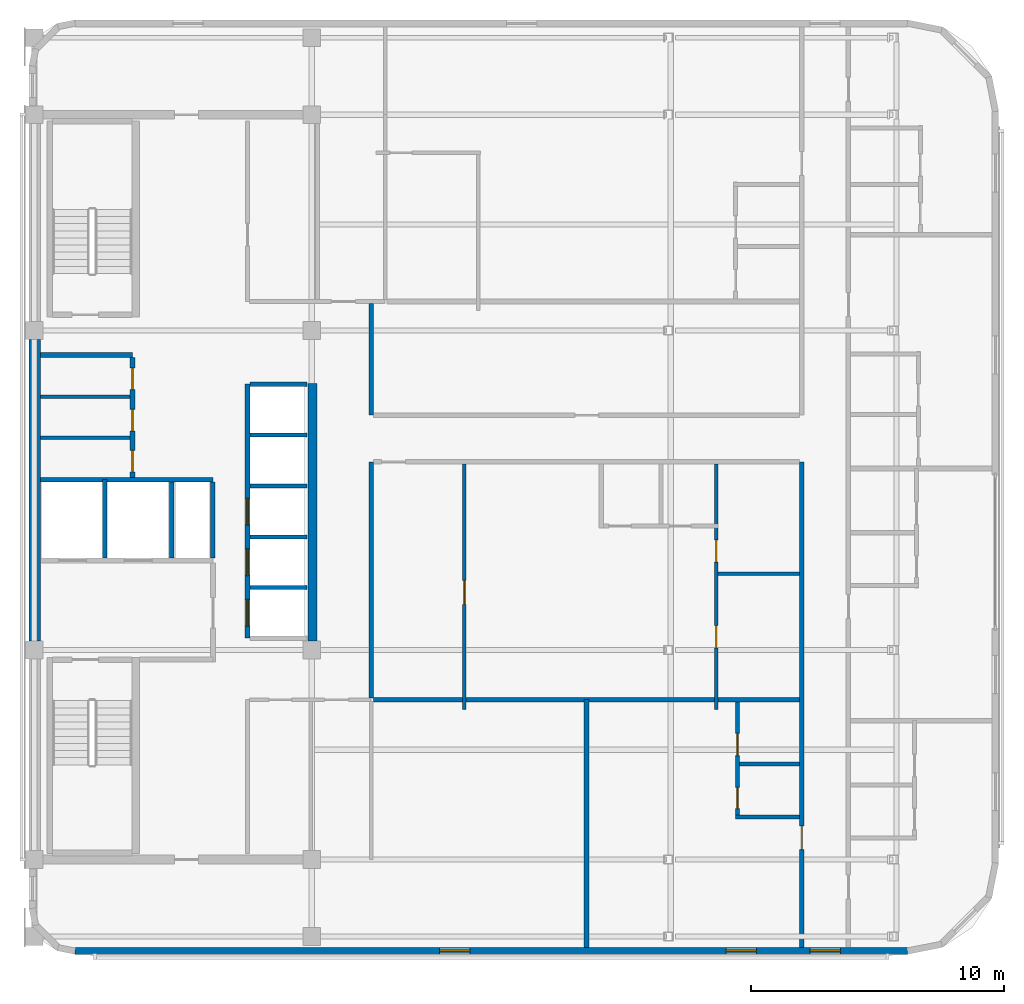
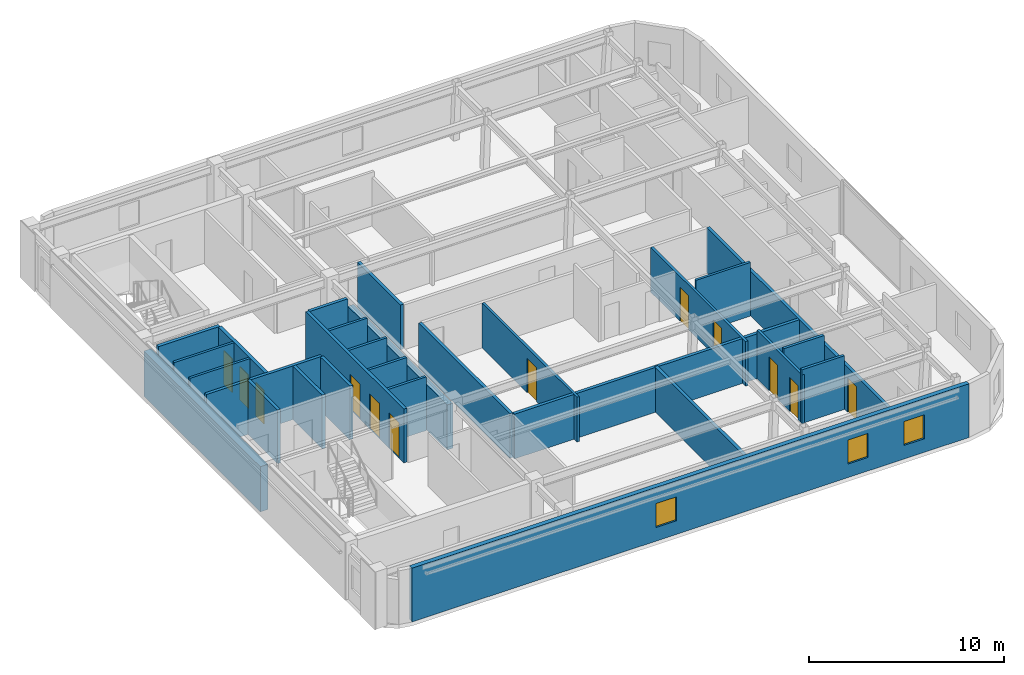
# One storey, part 4 of 10: 28 walls, 12 doors, 3 windows, 15 openings.
"""IFC4 building model written with IfcOpenShell, lengths in metres."""

from ifc_helpers import new_model, si_unit, direction, frame, frame_2d, origin, place, context, subcontext, project, spatial, rectangle, extrude, material, layer, layer_set, type_object, element, fill, save


model = new_model("IFC4")

# Units and contexts
model_context = context("Model", 3, precision=1e-05, world=origin(), true_north=direction((0.0, 1.0)))
body_context = subcontext(model_context, "Body", "Model", "MODEL_VIEW")
ifc_project = project(units=[si_unit("LENGTHUNIT", "METRE"), si_unit("AREAUNIT", "SQUARE_METRE"), si_unit("VOLUMEUNIT", "CUBIC_METRE"), si_unit("PLANEANGLEUNIT", "RADIAN"), si_unit("MASSUNIT", "GRAM", prefix="KILO")], contexts=[model_context])

# Site, building, storey
site_placement = place(None, origin())
site = spatial("IfcSite", under=ifc_project, at=site_placement, CompositionType="ELEMENT")
building_placement = place(site_placement, origin())
building = spatial("IfcBuilding", under=site, at=building_placement, Name="Ochreholt Gables", CompositionType="ELEMENT")
storey_placement = place(building_placement, frame((0.0, 0.0, 267.60009765625)))
storey = spatial("IfcBuildingStorey", under=building, at=storey_placement, Name="L70", CompositionType="ELEMENT", Elevation=267.60009765625)

# Walls
ifc_material_1 = material(Name="Concrete 50 MPa", Category="concrete")
ifc_layer_1 = layer(ifc_material_1, 0.35009765625, Name="Concrete 50 MPa")
ifc_layer_set_1 = layer_set([ifc_layer_1], Name="Concrete 50 MPa")
wall_type_1 = type_object("IfcWallType", Name="WALL-CSW-350", PredefinedType="SHEAR", material=ifc_layer_set_1)
wall_1_placement = place(storey_placement, frame((35.22509765625, 17.89990234375, 0.0), z_axis=(0.0, 0.0, 1.0), x_axis=(0.0, 1.0, 0.0)))
element("IfcWall", 1, at=wall_1_placement, inside=storey, type_object=wall_type_1, Name="L70 Core Central-East Shear Wall", PredefinedType="SHEAR", context=body_context, shape_type="SweptSolid", body=[
    extrude(rectangle(XDim=10.2001953125, YDim=0.35009765625, at=frame_2d((5.10009765625, 0.0))), origin(), (0.0, 0.0, 1.0), 2.82080078125),
])
ifc_layer_2 = layer(ifc_material_1, 0.449951171875, Name="Concrete 50 MPa")
ifc_layer_set_2 = layer_set([ifc_layer_2], Name="Concrete 50 MPa")
wall_type_2 = type_object("IfcWallType", Name="WALL-CSW-EXT", PredefinedType="SHEAR", material=ifc_layer_set_2)
wall_2_placement = place(storey_placement, frame((24.22509765625, 17.89990234375, 0.0), z_axis=(0.0, 0.0, 1.0), x_axis=(0.0, 1.0, 0.0)))
element("IfcWall", 2, at=wall_2_placement, inside=storey, type_object=wall_type_2, Name="L70 Core West Shear Wall WM", PredefinedType="SHEAR", context=body_context, shape_type="SweptSolid", body=[
    extrude(rectangle(XDim=11.9501953125, YDim=0.449951171875, at=frame_2d((5.97509765625, 0.0))), origin(), (0.0, 0.0, 1.0), 2.82080078125),
])

# Wall, openings, windows
ifc_material_2 = material(Name="Precast concrete 40 MPa", Category="concrete")
ifc_layer_3 = layer(ifc_material_2, 0.27001953125, Name="Precast concrete 40 MPa")
ifc_layer_set_3 = layer_set([ifc_layer_3], Name="Precast concrete 40 MPa")
wall_type_3 = type_object("IfcWallType", Name="WALL-EXT-270", PredefinedType="SOLIDWALL", material=ifc_layer_set_3)
wall_3_placement = place(storey_placement, frame((25.820068359375, 5.635009765625, 0.0), z_axis=(0.0, 0.0, 1.0), x_axis=(1.0, 0.0, 0.0)))
wall_3 = element("IfcWall", 3, at=wall_3_placement, inside=storey, type_object=wall_type_3, Name="L70 South Exterior Wall", PredefinedType="SOLIDWALL", context=body_context, shape_type="SweptSolid", body=[
    extrude(rectangle(XDim=32.9599609375, YDim=0.27001953125, at=frame_2d((16.47998046875, 0.0))), origin(), (0.0, 0.0, 1.0), 3.35986328125),
])
opening_1_placement = place(wall_3_placement, frame((14.4375, 0.0, 0.85009765625)))
opening_1 = element("IfcOpeningElement", 4, at=opening_1_placement, cuts=wall_3, Name="Opening WN-3", PredefinedType="OPENING", context=body_context, shape_type="SweptSolid", body=[
    extrude(rectangle(XDim=1.199951171875, YDim=1.5, at=frame_2d((0.60009765625, 0.75))), frame((0.0, 0.14501953125, 0.0), z_axis=(0.0, -1.0, 0.0), x_axis=(1.0, 0.0, 0.0)), (0.0, 0.0, 1.0), 0.2900390625),
])
opening_2_placement = place(wall_3_placement, frame((25.782470703125, 0.0, 0.85009765625)))
opening_2 = element("IfcOpeningElement", 5, at=opening_2_placement, cuts=wall_3, Name="Opening WN-3", PredefinedType="OPENING", context=body_context, shape_type="SweptSolid", body=[
    extrude(rectangle(XDim=1.199951171875, YDim=1.5, at=frame_2d((0.60009765625, 0.75))), frame((0.0, 0.14501953125, 0.0), z_axis=(0.0, -1.0, 0.0), x_axis=(1.0, 0.0, 0.0)), (0.0, 0.0, 1.0), 0.2900390625),
])
opening_3_placement = place(wall_3_placement, frame((29.10498046875, 0.0, 0.85009765625)))
opening_3 = element("IfcOpeningElement", 6, at=opening_3_placement, cuts=wall_3, Name="Opening WN-3", PredefinedType="OPENING", context=body_context, shape_type="SweptSolid", body=[
    extrude(rectangle(XDim=1.199951171875, YDim=1.5, at=frame_2d((0.60009765625, 0.75))), frame((0.0, 0.14501953125, 0.0), z_axis=(0.0, -1.0, 0.0), x_axis=(1.0, 0.0, 0.0)), (0.0, 0.0, 1.0), 0.2900390625),
])
ifc_material_3 = material(Name="Triple-Glazed Thermally Broken Aluminium Window", Category="aluminium")
window_type = type_object("IfcWindowType", Name="WIN-RES-1200", PartitioningType="SINGLE_PANEL", PredefinedType="WINDOW", material=ifc_material_3)
window_1_placement = place(opening_1_placement, origin())
window_1 = element("IfcWindow", 7, at=window_1_placement, inside=storey, type_object=window_type, Name="L70 Window W-EXT-S-L70-1", OverallHeight=1.5, OverallWidth=1.199951171875, PartitioningType="SINGLE_PANEL", PredefinedType="WINDOW", context=body_context, shape_type="SweptSolid", body=[
    extrude(rectangle(XDim=1.199951171875, YDim=1.5, at=frame_2d((0.60009765625, 0.75))), frame((0.0, 0.030029296875, 0.0), z_axis=(0.0, -1.0, 0.0), x_axis=(1.0, 0.0, 0.0)), (0.0, 0.0, 1.0), 0.06005859375),
])
fill(opening_1, window_1)
window_2_placement = place(opening_2_placement, origin())
window_2 = element("IfcWindow", 8, at=window_2_placement, inside=storey, type_object=window_type, Name="L70 Window W-EXT-S-L70-2", OverallHeight=1.5, OverallWidth=1.199951171875, PartitioningType="SINGLE_PANEL", PredefinedType="WINDOW", context=body_context, shape_type="SweptSolid", body=[
    extrude(rectangle(XDim=1.199951171875, YDim=1.5, at=frame_2d((0.60009765625, 0.75))), frame((0.0, 0.030029296875, 0.0), z_axis=(0.0, -1.0, 0.0), x_axis=(1.0, 0.0, 0.0)), (0.0, 0.0, 1.0), 0.06005859375),
])
fill(opening_2, window_2)
window_3_placement = place(opening_3_placement, origin())
window_3 = element("IfcWindow", 9, at=window_3_placement, inside=storey, type_object=window_type, Name="L70 Window W-EXT-S-L70-3", OverallHeight=1.5, OverallWidth=1.199951171875, PartitioningType="SINGLE_PANEL", PredefinedType="WINDOW", context=body_context, shape_type="SweptSolid", body=[
    extrude(rectangle(XDim=1.199951171875, YDim=1.5, at=frame_2d((0.60009765625, 0.75))), frame((0.0, 0.030029296875, 0.0), z_axis=(0.0, -1.0, 0.0), x_axis=(1.0, 0.0, 0.0)), (0.0, 0.0, 1.0), 0.06005859375),
])
fill(opening_3, window_3)

# Wall
ifc_material_4 = material(Name="Concrete 40 MPa", Category="concrete")
ifc_layer_4 = layer(ifc_material_4, 0.199951171875, Name="Concrete 40 MPa")
ifc_layer_set_4 = layer_set([ifc_layer_4], Name="Concrete 40 MPa")
wall_type_4 = type_object("IfcWallType", Name="WALL-INT-CF200", PredefinedType="STANDARD", material=ifc_layer_set_4)
wall_4_placement = place(storey_placement, frame((24.449951171875, 29.239990234375, 0.0), z_axis=(0.0, 0.0, 1.0), x_axis=(1.0, 0.0, 0.0)))
element("IfcWall", 10, at=wall_4_placement, inside=storey, type_object=wall_type_4, Name="L70 Interior Wall WI-SRVN-L70", PredefinedType="STANDARD", context=body_context, shape_type="SweptSolid", body=[
    extrude(rectangle(XDim=3.650146484375, YDim=0.199951171875, at=frame_2d((1.8251953125, 0.0))), origin(), (0.0, 0.0, 1.0), 3.35986328125),
])

# Wall, openings, doors
wall_5_placement = place(storey_placement, frame((28.10009765625, 24.389892578125, 0.0), z_axis=(0.0, 0.0, 1.0), x_axis=(0.0, 1.0, 0.0)))
wall_5 = element("IfcWall", 11, at=wall_5_placement, inside=storey, type_object=wall_type_4, Name="L70 Interior Wall WI-SRVE-L70", PredefinedType="STANDARD", context=body_context, shape_type="SweptSolid", body=[
    extrude(rectangle(XDim=4.75, YDim=0.199951171875, at=frame_2d((2.375, 0.0))), origin(), (0.0, 0.0, 1.0), 3.35986328125),
])
opening_4_placement = place(wall_5_placement, frame((0.2099609375, 0.0, 0.0)))
opening_4 = element("IfcOpeningElement", 12, at=opening_4_placement, cuts=wall_5, Name="Opening D-SV2", PredefinedType="OPENING", context=body_context, shape_type="SweptSolid", body=[
    extrude(rectangle(XDim=0.860107421875, YDim=2.10009765625, at=frame_2d((0.43017578125, 1.050048828125))), frame((0.0, 0.10986328125, 0.0), z_axis=(0.0, -1.0, 0.0), x_axis=(1.0, 0.0, 0.0)), (0.0, 0.0, 1.0), 0.219970703125),
])
opening_5_placement = place(wall_5_placement, frame((1.830078125, 0.0, 0.0)))
opening_5 = element("IfcOpeningElement", 13, at=opening_5_placement, cuts=wall_5, Name="Opening D-SV2", PredefinedType="OPENING", context=body_context, shape_type="SweptSolid", body=[
    extrude(rectangle(XDim=0.860107421875, YDim=2.10009765625, at=frame_2d((0.43017578125, 1.050048828125))), frame((0.0, 0.10986328125, 0.0), z_axis=(0.0, -1.0, 0.0), x_axis=(1.0, 0.0, 0.0)), (0.0, 0.0, 1.0), 0.219970703125),
])
opening_6_placement = place(wall_5_placement, frame((3.469970703125, 0.0, 0.0)))
opening_6 = element("IfcOpeningElement", 14, at=opening_6_placement, cuts=wall_5, Name="Opening D-SV2", PredefinedType="OPENING", context=body_context, shape_type="SweptSolid", body=[
    extrude(rectangle(XDim=0.860107421875, YDim=2.10009765625, at=frame_2d((0.43017578125, 1.050048828125))), frame((0.0, 0.10986328125, 0.0), z_axis=(0.0, -1.0, 0.0), x_axis=(1.0, 0.0, 0.0)), (0.0, 0.0, 1.0), 0.219970703125),
])
ifc_material_5 = material(Name="Hollow Metal Steel", Category="steel")
door_type_1 = type_object("IfcDoorType", Name="DR-INT-SRV860", OperationType="NOTDEFINED", PredefinedType="DOOR", material=ifc_material_5)
door_1_placement = place(opening_4_placement, origin())
door_1 = element("IfcDoor", 15, at=door_1_placement, inside=storey, type_object=door_type_1, Name="L70 Door D-SRV1-L70", OperationType="SINGLE_SWING_LEFT", OverallHeight=2.10009765625, OverallWidth=0.860107421875, PredefinedType="DOOR", context=body_context, shape_type="SweptSolid", body=[
    extrude(rectangle(XDim=0.860107421875, YDim=2.10009765625, at=frame_2d((0.43017578125, 1.050048828125))), frame((0.0, 0.02490234375, 0.0), z_axis=(0.0, -1.0, 0.0), x_axis=(1.0, 0.0, 0.0)), (0.0, 0.0, 1.0), 0.050048828125),
])
fill(opening_4, door_1)
door_2_placement = place(opening_5_placement, origin())
door_2 = element("IfcDoor", 16, at=door_2_placement, inside=storey, type_object=door_type_1, Name="L70 Door D-SRV2-L70", OperationType="SINGLE_SWING_RIGHT", OverallHeight=2.10009765625, OverallWidth=0.860107421875, PredefinedType="DOOR", context=body_context, shape_type="SweptSolid", body=[
    extrude(rectangle(XDim=0.860107421875, YDim=2.10009765625, at=frame_2d((0.43017578125, 1.050048828125))), frame((0.0, 0.02490234375, 0.0), z_axis=(0.0, -1.0, 0.0), x_axis=(1.0, 0.0, 0.0)), (0.0, 0.0, 1.0), 0.050048828125),
])
fill(opening_5, door_2)
door_3_placement = place(opening_6_placement, origin())
door_3 = element("IfcDoor", 17, at=door_3_placement, inside=storey, type_object=door_type_1, Name="L70 Door D-SRV3-L70", OperationType="SINGLE_SWING_LEFT", OverallHeight=2.10009765625, OverallWidth=0.860107421875, PredefinedType="DOOR", context=body_context, shape_type="SweptSolid", body=[
    extrude(rectangle(XDim=0.860107421875, YDim=2.10009765625, at=frame_2d((0.43017578125, 1.050048828125))), frame((0.0, 0.02490234375, 0.0), z_axis=(0.0, -1.0, 0.0), x_axis=(1.0, 0.0, 0.0)), (0.0, 0.0, 1.0), 0.050048828125),
])
fill(opening_6, door_3)

# Walls
ifc_material_6 = material(Name="Fire-Rated Gypsum Acoustic Partition", Category="gypsum")
ifc_layer_5 = layer(ifc_material_6, 0.179931640625, Name="Fire-Rated Gypsum Acoustic Partition")
ifc_layer_set_5 = layer_set([ifc_layer_5], Name="Fire-Rated Gypsum Acoustic Partition")
wall_type_5 = type_object("IfcWallType", Name="WALL-INT-CR180", PredefinedType="STANDARD", material=ifc_layer_set_5)
wall_6_placement = place(storey_placement, frame((37.550048828125, 15.652587890625, 0.0), z_axis=(0.0, 0.0, 1.0), x_axis=(0.0, 1.0, 0.0)))
element("IfcWall", 18, at=wall_6_placement, inside=storey, type_object=wall_type_5, Name="L70 Interior Wall WI-C3CE0-L70", PredefinedType="STANDARD", context=body_context, shape_type="SweptSolid", body=[
    extrude(rectangle(XDim=9.347412109375, YDim=0.179931640625, at=frame_2d((4.673828125, 0.0))), origin(), (0.0, 0.0, 1.0), 2.802978515625),
])
wall_7_placement = place(storey_placement, frame((37.550048828125, 26.85009765625, 0.0), z_axis=(0.0, 0.0, 1.0), x_axis=(0.0, 1.0, 0.0)))
element("IfcWall", 19, at=wall_7_placement, inside=storey, type_object=wall_type_5, Name="L70 Interior Wall WI-C3CE2-L70", PredefinedType="STANDARD", context=body_context, shape_type="SweptSolid", body=[
    extrude(rectangle(XDim=4.427490234375, YDim=0.179931640625, at=frame_2d((2.2138671875, 0.0))), origin(), (0.0, 0.0, 1.0), 2.802978515625),
])

# Wall, opening, door
wall_8_placement = place(storey_placement, frame((54.60009765625, 5.77001953125, 0.0), z_axis=(0.0, 0.0, 1.0), x_axis=(0.0, 1.0, 0.0)))
wall_8 = element("IfcWall", 20, at=wall_8_placement, inside=storey, type_object=wall_type_5, Name="L70 Interior Wall WI-C3GW0-L70", PredefinedType="STANDARD", context=body_context, shape_type="SweptSolid", body=[
    extrude(rectangle(XDim=19.22998046875, YDim=0.179931640625, at=frame_2d((9.614990234375, 0.0))), origin(), (0.0, 0.0, 1.0), 2.802978515625),
])
opening_7_placement = place(wall_8_placement, frame((3.8701171875, 0.0, 0.0)))
opening_7 = element("IfcOpeningElement", 21, at=opening_7_placement, cuts=wall_8, Name="Opening D-UN2", PredefinedType="OPENING", context=body_context, shape_type="SweptSolid", body=[
    extrude(rectangle(XDim=0.93994140625, YDim=2.14990234375, at=frame_2d((0.469970703125, 1.074951171875))), frame((0.0, 0.099853515625, 0.0), z_axis=(0.0, -1.0, 0.0), x_axis=(1.0, 0.0, 0.0)), (0.0, 0.0, 1.0), 0.199951171875),
])
ifc_material_7 = material(Name="Engineered Oak Timber", Category="wood")
door_type_2 = type_object("IfcDoorType", Name="DR-INT-UNT940", OperationType="NOTDEFINED", PredefinedType="DOOR", material=ifc_material_7)
door_4_placement = place(opening_7_placement, origin())
door_4 = element("IfcDoor", 22, at=door_4_placement, inside=storey, type_object=door_type_2, Name="L70 Door D-U-L70SM1-ENT", OperationType="SINGLE_SWING_RIGHT", OverallHeight=2.14990234375, OverallWidth=0.93994140625, PredefinedType="DOOR", context=body_context, shape_type="SweptSolid", body=[
    extrude(rectangle(XDim=0.93994140625, YDim=2.14990234375, at=frame_2d((0.469970703125, 1.074951171875))), frame((0.0, 0.02490234375, 0.0), z_axis=(0.0, -1.0, 0.0), x_axis=(1.0, 0.0, 0.0)), (0.0, 0.0, 1.0), 0.050048828125),
])
fill(opening_7, door_4)

# Walls
ifc_material_8 = material(Name="Double-Stud Acoustic Demising Wall", Category="gypsum")
ifc_layer_6 = layer(ifc_material_8, 0.18505859375, Name="Double-Stud Acoustic Demising Wall")
ifc_layer_set_6 = layer_set([ifc_layer_6], Name="Double-Stud Acoustic Demising Wall")
wall_type_6 = type_object("IfcWallType", Name="WALL-INT-DM185", PredefinedType="PARTITIONING", material=ifc_layer_set_6)
wall_9_placement = place(storey_placement, frame((46.074951171875, 5.77001953125, 0.0), z_axis=(0.0, 0.0, 1.0), x_axis=(0.0, 1.0, 0.0)))
element("IfcWall", 23, at=wall_9_placement, inside=storey, type_object=wall_type_6, Name="L70 Interior Wall WI-C3SMX-L70", PredefinedType="PARTITIONING", context=body_context, shape_type="SweptSolid", body=[
    extrude(rectangle(XDim=9.81005859375, YDim=0.18505859375, at=frame_2d((4.905029296875, 0.0))), origin(), (0.0, 0.0, 1.0), 2.802978515625),
])
wall_10_placement = place(storey_placement, frame((37.639892578125, 15.580078125, 0.0), z_axis=(0.0, 0.0, 1.0), x_axis=(1.0, 0.0, 0.0)))
element("IfcWall", 24, at=wall_10_placement, inside=storey, type_object=wall_type_6, Name="L70 Interior Wall WI-C3SMY-L70", PredefinedType="PARTITIONING", context=body_context, shape_type="SweptSolid", body=[
    extrude(rectangle(XDim=16.8701171875, YDim=0.18505859375, at=frame_2d((8.43505859375, 0.0))), origin(), (0.0, 0.0, 1.0), 2.802978515625),
])
ifc_material_9 = material(Name="Moisture-Resistant Plumbing Chase Wall", Category="gypsum")
ifc_layer_7 = layer(ifc_material_9, 0.159912109375, Name="Moisture-Resistant Plumbing Chase Wall")
ifc_layer_set_7 = layer_set([ifc_layer_7], Name="Moisture-Resistant Plumbing Chase Wall")
wall_type_7 = type_object("IfcWallType", Name="WALL-INT-PL160", PredefinedType="PLUMBINGWALL", material=ifc_layer_set_7)
wall_11_placement = place(storey_placement, frame((51.97998046875, 10.93994140625, 0.0), z_axis=(0.0, 0.0, 1.0), x_axis=(1.0, 0.0, 0.0)))
element("IfcWall", 25, at=wall_11_placement, inside=storey, type_object=wall_type_7, Name="L70 Interior Wall WU-L70SM1-WYS", PredefinedType="PLUMBINGWALL", context=body_context, shape_type="SweptSolid", body=[
    extrude(rectangle(XDim=2.530029296875, YDim=0.159912109375, at=frame_2d((1.26513671875, 0.0))), origin(), (0.0, 0.0, 1.0), 3.35986328125),
])

# Wall, openings, doors
wall_12_placement = place(storey_placement, frame((52.06005859375, 10.85009765625, 0.0), z_axis=(0.0, 0.0, 1.0), x_axis=(0.0, 1.0, 0.0)))
wall_12 = element("IfcWall", 26, at=wall_12_placement, inside=storey, type_object=wall_type_7, Name="L70 Interior Wall WU-L70SM1-WX", PredefinedType="PLUMBINGWALL", context=body_context, shape_type="SweptSolid", body=[
    extrude(rectangle(XDim=4.637451171875, YDim=0.159912109375, at=frame_2d((2.31884765625, 0.0))), origin(), (0.0, 0.0, 1.0), 3.038818359375),
])
opening_8_placement = place(wall_12_placement, frame((0.419921875, 0.0, 0.0)))
opening_8 = element("IfcOpeningElement", 27, at=opening_8_placement, cuts=wall_12, Name="Opening D-BT2", PredefinedType="OPENING", context=body_context, shape_type="SweptSolid", body=[
    extrude(rectangle(XDim=0.840087890625, YDim=2.1201171875, at=frame_2d((0.419921875, 1.06005859375))), frame((0.0, 0.08984375, 0.0), z_axis=(0.0, -1.0, 0.0), x_axis=(1.0, 0.0, 0.0)), (0.0, 0.0, 1.0), 0.179931640625),
])
opening_9_placement = place(wall_12_placement, frame((2.512939453125, 0.0, 0.0)))
opening_9 = element("IfcOpeningElement", 28, at=opening_9_placement, cuts=wall_12, Name="Opening D-GN2", PredefinedType="OPENING", context=body_context, shape_type="SweptSolid", body=[
    extrude(rectangle(XDim=0.8798828125, YDim=2.1201171875, at=frame_2d((0.43994140625, 1.06005859375))), frame((0.0, 0.08984375, 0.0), z_axis=(0.0, -1.0, 0.0), x_axis=(1.0, 0.0, 0.0)), (0.0, 0.0, 1.0), 0.179931640625),
])
door_type_3 = type_object("IfcDoorType", Name="DR-INT-BTH840", OperationType="NOTDEFINED", PredefinedType="DOOR", material=ifc_material_7)
door_5_placement = place(opening_8_placement, origin())
door_5 = element("IfcDoor", 29, at=door_5_placement, inside=storey, type_object=door_type_3, Name="L70 Door D-U-L70SM1-BTH", OperationType="SINGLE_SWING_LEFT", OverallHeight=2.1201171875, OverallWidth=0.840087890625, PredefinedType="DOOR", context=body_context, shape_type="SweptSolid", body=[
    extrude(rectangle(XDim=0.840087890625, YDim=2.1201171875, at=frame_2d((0.419921875, 1.06005859375))), frame((0.0, 0.02490234375, 0.0), z_axis=(0.0, -1.0, 0.0), x_axis=(1.0, 0.0, 0.0)), (0.0, 0.0, 1.0), 0.050048828125),
])
fill(opening_8, door_5)
door_type_4 = type_object("IfcDoorType", Name="DR-INT-GEN880", OperationType="NOTDEFINED", PredefinedType="DOOR", material=ifc_material_7)
door_6_placement = place(opening_9_placement, origin())
door_6 = element("IfcDoor", 30, at=door_6_placement, inside=storey, type_object=door_type_4, Name="L70 Door D-U-L70SM1-KIT", OperationType="SINGLE_SWING_RIGHT", OverallHeight=2.1201171875, OverallWidth=0.8798828125, PredefinedType="DOOR", context=body_context, shape_type="SweptSolid", body=[
    extrude(rectangle(XDim=0.8798828125, YDim=2.1201171875, at=frame_2d((0.43994140625, 1.06005859375))), frame((0.0, 0.02490234375, 0.0), z_axis=(0.0, -1.0, 0.0), x_axis=(1.0, 0.0, 0.0)), (0.0, 0.0, 1.0), 0.050048828125),
])
fill(opening_9, door_6)

# Walls
wall_13_placement = place(storey_placement, frame((52.139892578125, 13.032958984375, 0.0), z_axis=(0.0, 0.0, 1.0), x_axis=(1.0, 0.0, 0.0)))
element("IfcWall", 31, at=wall_13_placement, inside=storey, type_object=wall_type_7, Name="L70 Interior Wall WU-L70SM1-WM", PredefinedType="PLUMBINGWALL", context=body_context, shape_type="SweptSolid", body=[
    extrude(rectangle(XDim=2.3701171875, YDim=0.159912109375, at=frame_2d((1.18505859375, 0.0))), origin(), (0.0, 0.0, 1.0), 3.35986328125),
])
ifc_material_10 = material(Name="Lightweight Stud Partition", Category="gypsum")
ifc_layer_8 = layer(ifc_material_10, 0.14501953125, Name="Lightweight Stud Partition")
ifc_layer_set_8 = layer_set([ifc_layer_8], Name="Lightweight Stud Partition")
wall_type_8 = type_object("IfcWallType", Name="WALL-INT-PT145", PredefinedType="PARTITIONING", material=ifc_layer_set_8)
for number, where, z_axis, x_axis, name in (
    (32, (24.449951171875, 25.949951171875, 0.0), (0.0, 0.0, 1.0), (1.0, 0.0, 0.0), "L70 Interior Wall WI-SRVP1-L70"),
    (33, (24.449951171875, 27.580078125, 0.0), (0.0, 0.0, 1.0), (1.0, 0.0, 0.0), "L70 Interior Wall WI-SRVP2-L70"),
):
    element("IfcWall", number, at=place(storey_placement, frame(where, z_axis=z_axis, x_axis=x_axis)), inside=storey, type_object=wall_type_8, Name=name, PredefinedType="PARTITIONING", context=body_context, shape_type="SweptSolid", body=[
        extrude(rectangle(XDim=3.550048828125, YDim=0.14501953125, at=frame_2d((1.77490234375, 0.0))), origin(), (0.0, 0.0, 1.0), 3.35986328125),
    ])

# Wall, openings, doors
wall_14_placement = place(storey_placement, frame((51.2099609375, 15.18994140625, 0.0), z_axis=(0.0, 0.0, 1.0), x_axis=(0.0, 1.0, 0.0)))
wall_14 = element("IfcWall", 34, at=wall_14_placement, inside=storey, type_object=wall_type_8, Name="L70 Interior Wall WU-L70SM2-MNX", PredefinedType="PARTITIONING", context=body_context, shape_type="SweptSolid", body=[
    extrude(rectangle(XDim=9.719970703125, YDim=0.14501953125, at=frame_2d((4.85986328125, 0.0))), origin(), (0.0, 0.0, 1.0), 2.802978515625),
])
opening_10_placement = place(wall_14_placement, frame((2.445068359375, 0.0, 0.0)))
opening_10 = element("IfcOpeningElement", 35, at=opening_10_placement, cuts=wall_14, Name="Opening D-BD2", PredefinedType="OPENING", context=body_context, shape_type="SweptSolid", body=[
    extrude(rectangle(XDim=0.8798828125, YDim=2.139892578125, at=frame_2d((0.43994140625, 1.06982421875))), frame((0.0, 0.08251953125, 0.0), z_axis=(0.0, -1.0, 0.0), x_axis=(1.0, 0.0, 0.0)), (0.0, 0.0, 1.0), 0.1650390625),
])
opening_11_placement = place(wall_14_placement, frame((5.840087890625, 0.0, 0.0)))
opening_11 = element("IfcOpeningElement", 36, at=opening_11_placement, cuts=wall_14, Name="Opening D-GN2", PredefinedType="OPENING", context=body_context, shape_type="SweptSolid", body=[
    extrude(rectangle(XDim=0.8798828125, YDim=2.1201171875, at=frame_2d((0.43994140625, 1.06005859375))), frame((0.0, 0.08251953125, 0.0), z_axis=(0.0, -1.0, 0.0), x_axis=(1.0, 0.0, 0.0)), (0.0, 0.0, 1.0), 0.1650390625),
])
door_type_5 = type_object("IfcDoorType", Name="DR-INT-BED880", OperationType="NOTDEFINED", PredefinedType="DOOR", material=ifc_material_7)
door_7_placement = place(opening_10_placement, origin())
door_7 = element("IfcDoor", 37, at=door_7_placement, inside=storey, type_object=door_type_5, Name="L70 Door D-U-L70SM2-BD1", OperationType="SINGLE_SWING_RIGHT", OverallHeight=2.139892578125, OverallWidth=0.8798828125, PredefinedType="DOOR", context=body_context, shape_type="SweptSolid", body=[
    extrude(rectangle(XDim=0.8798828125, YDim=2.139892578125, at=frame_2d((0.43994140625, 1.06982421875))), frame((0.0, 0.02490234375, 0.0), z_axis=(0.0, -1.0, 0.0), x_axis=(1.0, 0.0, 0.0)), (0.0, 0.0, 1.0), 0.050048828125),
])
fill(opening_10, door_7)
door_8_placement = place(opening_11_placement, origin())
door_8 = element("IfcDoor", 38, at=door_8_placement, inside=storey, type_object=door_type_4, Name="L70 Door D-U-L70SM2-BD2", OperationType="SINGLE_SWING_LEFT", OverallHeight=2.1201171875, OverallWidth=0.8798828125, PredefinedType="DOOR", context=body_context, shape_type="SweptSolid", body=[
    extrude(rectangle(XDim=0.8798828125, YDim=2.1201171875, at=frame_2d((0.43994140625, 1.06005859375))), frame((0.0, 0.02490234375, 0.0), z_axis=(0.0, -1.0, 0.0), x_axis=(1.0, 0.0, 0.0)), (0.0, 0.0, 1.0), 0.050048828125),
])
fill(opening_11, door_8)

# Wall, opening, door
wall_15_placement = place(storey_placement, frame((41.239990234375, 15.18994140625, 0.0), z_axis=(0.0, 0.0, 1.0), x_axis=(0.0, 1.0, 0.0)))
wall_15 = element("IfcWall", 39, at=wall_15_placement, inside=storey, type_object=wall_type_8, Name="L70 Interior Wall WU-L70SM2-DNX", PredefinedType="PARTITIONING", context=body_context, shape_type="SweptSolid", body=[
    extrude(rectangle(XDim=9.719970703125, YDim=0.14501953125, at=frame_2d((4.85986328125, 0.0))), origin(), (0.0, 0.0, 1.0), 2.802978515625),
])
opening_12_placement = place(wall_15_placement, frame((4.169921875, 0.0, 0.0)))
opening_12 = element("IfcOpeningElement", 40, at=opening_12_placement, cuts=wall_15, Name="Opening D-GN1", PredefinedType="OPENING", context=body_context, shape_type="SweptSolid", body=[
    extrude(rectangle(XDim=0.949951171875, YDim=2.14990234375, at=frame_2d((0.47509765625, 1.074951171875))), frame((0.0, 0.08251953125, 0.0), z_axis=(0.0, -1.0, 0.0), x_axis=(1.0, 0.0, 0.0)), (0.0, 0.0, 1.0), 0.1650390625),
])
door_type_6 = type_object("IfcDoorType", Name="DR-INT-GEN950", OperationType="NOTDEFINED", PredefinedType="DOOR", material=ifc_material_7)
door_9_placement = place(opening_12_placement, origin())
door_9 = element("IfcDoor", 41, at=door_9_placement, inside=storey, type_object=door_type_6, Name="L70 Door D-U-L70SM2-DIN", OperationType="SINGLE_SWING_LEFT", OverallHeight=2.14990234375, OverallWidth=0.949951171875, PredefinedType="DOOR", context=body_context, shape_type="SweptSolid", body=[
    extrude(rectangle(XDim=0.949951171875, YDim=2.14990234375, at=frame_2d((0.47509765625, 1.074951171875))), frame((0.0, 0.02490234375, 0.0), z_axis=(0.0, -1.0, 0.0), x_axis=(1.0, 0.0, 0.0)), (0.0, 0.0, 1.0), 0.050048828125),
])
fill(opening_12, door_9)

# Walls
wall_16_placement = place(storey_placement, frame((51.2900390625, 20.570068359375, 0.0), z_axis=(0.0, 0.0, 1.0), x_axis=(1.0, 0.0, 0.0)))
element("IfcWall", 42, at=wall_16_placement, inside=storey, type_object=wall_type_8, Name="L70 Interior Wall WU-L70SM2-RDV", PredefinedType="PARTITIONING", context=body_context, shape_type="SweptSolid", body=[
    extrude(rectangle(XDim=3.219970703125, YDim=0.14501953125, at=frame_2d((1.60986328125, 0.0))), origin(), (0.0, 0.0, 1.0), 3.35986328125),
])
ifc_material_11 = material(Name="Gypsum Shaftliner and Steel Stud", Category="steel")
ifc_layer_9 = layer(ifc_material_11, 0.14990234375, Name="Gypsum Shaftliner and Steel Stud")
ifc_layer_set_9 = layer_set([ifc_layer_9], Name="Gypsum Shaftliner and Steel Stud")
wall_type_9 = type_object("IfcWallType", Name="WALL-INT-SH150", PredefinedType="STANDARD", material=ifc_layer_set_9)
for number, where, z_axis, x_axis, name in (
    (43, (32.739990234375, 20.02001953125, 0.0), (0.0, 0.0, 1.0), (1.0, 0.0, 0.0), "L70 Interior Wall WI-LFHE-DH1-L70"),
    (44, (32.739990234375, 22.02001953125, 0.0), (0.0, 0.0, 1.0), (1.0, 0.0, 0.0), "L70 Interior Wall WI-LFHE-DH2-L70"),
    (45, (32.739990234375, 24.050048828125, 0.0), (0.0, 0.0, 1.0), (1.0, 0.0, 0.0), "L70 Interior Wall WI-LFHE-DHE-L70"),
    (46, (32.739990234375, 26.070068359375, 0.0), (0.0, 0.0, 1.0), (1.0, 0.0, 0.0), "L70 Interior Wall WI-LFHE-DEX1-L70"),
):
    element("IfcWall", number, at=place(storey_placement, frame(where, z_axis=z_axis, x_axis=x_axis)), inside=storey, type_object=wall_type_9, Name=name, PredefinedType="STANDARD", context=body_context, shape_type="SweptSolid", body=[
        extrude(rectangle(XDim=2.260009765625, YDim=0.14990234375, at=frame_2d((1.1298828125, 0.0))), origin(), (0.0, 0.0, 1.0), 3.35986328125),
    ])
ifc_layer_10 = layer(ifc_material_11, 0.179931640625, Name="Gypsum Shaftliner and Steel Stud")
ifc_layer_set_10 = layer_set([ifc_layer_10], Name="Gypsum Shaftliner and Steel Stud")
wall_type_10 = type_object("IfcWallType", Name="WALL-INT-SH180", PredefinedType="STANDARD", material=ifc_layer_set_10)
wall_17_placement = place(storey_placement, frame((27.0, 21.18994140625, 0.0), z_axis=(0.0, 0.0, 1.0), x_axis=(0.0, 1.0, 0.0)))
element("IfcWall", 47, at=wall_17_placement, inside=storey, type_object=wall_type_10, Name="L70 Interior Wall WI-FFDIV-L70", PredefinedType="STANDARD", context=body_context, shape_type="SweptSolid", body=[
    extrude(rectangle(XDim=3.110107421875, YDim=0.179931640625, at=frame_2d((1.55517578125, 0.0))), origin(), (0.0, 0.0, 1.0), 3.35986328125),
])
wall_18_placement = place(storey_placement, frame((24.449951171875, 24.300048828125, 0.0), z_axis=(0.0, 0.0, 1.0), x_axis=(1.0, 0.0, 0.0)))
element("IfcWall", 48, at=wall_18_placement, inside=storey, type_object=wall_type_10, Name="L70 Interior Wall WI-FFBK-L70", PredefinedType="STANDARD", context=body_context, shape_type="SweptSolid", body=[
    extrude(rectangle(XDim=6.830078125, YDim=0.179931640625, at=frame_2d((3.4150390625, 0.0))), origin(), (0.0, 0.0, 1.0), 3.35986328125),
])
for number, where, z_axis, x_axis, name in (
    (49, (29.64990234375, 21.18994140625, 0.0), (0.0, 0.0, 1.0), (0.0, 1.0, 0.0), "L70 Interior Wall WI-FFSH-L70"),
    (50, (31.280029296875, 21.18994140625, 0.0), (0.0, 0.0, 1.0), (0.0, 1.0, 0.0), "L70 Interior Wall WI-RSE-L70"),
):
    element("IfcWall", number, at=place(storey_placement, frame(where, z_axis=z_axis, x_axis=x_axis)), inside=storey, type_object=wall_type_10, Name=name, PredefinedType="STANDARD", context=body_context, shape_type="SweptSolid", body=[
        extrude(rectangle(XDim=3.02001953125, YDim=0.179931640625, at=frame_2d((1.510009765625, 0.0))), origin(), (0.0, 0.0, 1.0), 3.35986328125),
    ])

# Wall, openings, doors
wall_19_placement = place(storey_placement, frame((32.64990234375, 18.02001953125, 0.0), z_axis=(0.0, 0.0, 1.0), x_axis=(0.0, 1.0, 0.0)))
wall_19 = element("IfcWall", 51, at=wall_19_placement, inside=storey, type_object=wall_type_10, Name="L70 Interior Wall WI-LFHE-FR-L70", PredefinedType="STANDARD", context=body_context, shape_type="SweptSolid", body=[
    extrude(rectangle(XDim=10.06005859375, YDim=0.179931640625, at=frame_2d((5.030029296875, 0.0))), origin(), (0.0, 0.0, 1.0), 3.35986328125),
])
opening_13_placement = place(wall_19_placement, frame((0.47998046875, 0.0, 0.0)))
opening_13 = element("IfcOpeningElement", 52, at=opening_13_placement, cuts=wall_19, Name="Opening LD-PX", PredefinedType="OPENING", context=body_context, shape_type="SweptSolid", body=[
    extrude(rectangle(XDim=1.050048828125, YDim=2.199951171875, at=frame_2d((0.52490234375, 1.10009765625))), frame((0.0, 0.099853515625, 0.0), z_axis=(0.0, -1.0, 0.0), x_axis=(1.0, 0.0, 0.0)), (0.0, 0.0, 1.0), 0.199951171875),
])
opening_14_placement = place(wall_19_placement, frame((2.47998046875, 0.0, 0.0)))
opening_14 = element("IfcOpeningElement", 53, at=opening_14_placement, cuts=wall_19, Name="Opening LD-PX", PredefinedType="OPENING", context=body_context, shape_type="SweptSolid", body=[
    extrude(rectangle(XDim=1.050048828125, YDim=2.199951171875, at=frame_2d((0.52490234375, 1.10009765625))), frame((0.0, 0.099853515625, 0.0), z_axis=(0.0, -1.0, 0.0), x_axis=(1.0, 0.0, 0.0)), (0.0, 0.0, 1.0), 0.199951171875),
])
opening_15_placement = place(wall_19_placement, frame((4.47998046875, 0.0, 0.0)))
opening_15 = element("IfcOpeningElement", 54, at=opening_15_placement, cuts=wall_19, Name="Opening LD-PX", PredefinedType="OPENING", context=body_context, shape_type="SweptSolid", body=[
    extrude(rectangle(XDim=1.050048828125, YDim=2.199951171875, at=frame_2d((0.52490234375, 1.10009765625))), frame((0.0, 0.099853515625, 0.0), z_axis=(0.0, -1.0, 0.0), x_axis=(1.0, 0.0, 0.0)), (0.0, 0.0, 1.0), 0.199951171875),
])
ifc_material_12 = material(Name="Stainless Steel", Category="steel")
door_type_7 = type_object("IfcDoorType", Name="DR-LFT-PX1050", OperationType="NOTDEFINED", PredefinedType="DOOR", material=ifc_material_12)
door_10_placement = place(opening_13_placement, origin())
door_10 = element("IfcDoor", 55, at=door_10_placement, inside=storey, type_object=door_type_7, Name="L70 Door LD-LF-H1-L70", OperationType="SLIDING_TO_LEFT", OverallHeight=2.199951171875, OverallWidth=1.050048828125, PredefinedType="DOOR", context=body_context, shape_type="SweptSolid", body=[
    extrude(rectangle(XDim=1.050048828125, YDim=2.199951171875, at=frame_2d((0.52490234375, 1.10009765625))), frame((0.0, 0.02490234375, 0.0), z_axis=(0.0, -1.0, 0.0), x_axis=(1.0, 0.0, 0.0)), (0.0, 0.0, 1.0), 0.050048828125),
])
fill(opening_13, door_10)
door_11_placement = place(opening_14_placement, origin())
door_11 = element("IfcDoor", 56, at=door_11_placement, inside=storey, type_object=door_type_7, Name="L70 Door LD-LF-H2-L70", OperationType="SLIDING_TO_LEFT", OverallHeight=2.199951171875, OverallWidth=1.050048828125, PredefinedType="DOOR", context=body_context, shape_type="SweptSolid", body=[
    extrude(rectangle(XDim=1.050048828125, YDim=2.199951171875, at=frame_2d((0.52490234375, 1.10009765625))), frame((0.0, 0.02490234375, 0.0), z_axis=(0.0, -1.0, 0.0), x_axis=(1.0, 0.0, 0.0)), (0.0, 0.0, 1.0), 0.050048828125),
])
fill(opening_14, door_11)
door_12_placement = place(opening_15_placement, origin())
door_12 = element("IfcDoor", 57, at=door_12_placement, inside=storey, type_object=door_type_7, Name="L70 Door LD-LF-H3-L70", OperationType="SLIDING_TO_LEFT", OverallHeight=2.199951171875, OverallWidth=1.050048828125, PredefinedType="DOOR", context=body_context, shape_type="SweptSolid", body=[
    extrude(rectangle(XDim=1.050048828125, YDim=2.199951171875, at=frame_2d((0.52490234375, 1.10009765625))), frame((0.0, 0.02490234375, 0.0), z_axis=(0.0, -1.0, 0.0), x_axis=(1.0, 0.0, 0.0)), (0.0, 0.0, 1.0), 0.050048828125),
])
fill(opening_15, door_12)

# Wall
wall_20_placement = place(storey_placement, frame((32.739990234375, 28.080078125, 0.0), z_axis=(0.0, 0.0, 1.0), x_axis=(1.0, 0.0, 0.0)))
element("IfcWall", 58, at=wall_20_placement, inside=storey, type_object=wall_type_10, Name="L70 Interior Wall WI-LFHE-N-L70", PredefinedType="STANDARD", context=body_context, shape_type="SweptSolid", body=[
    extrude(rectangle(XDim=2.260009765625, YDim=0.179931640625, at=frame_2d((1.1298828125, 0.0))), origin(), (0.0, 0.0, 1.0), 3.35986328125),
])

save(model, "model.ifc")
